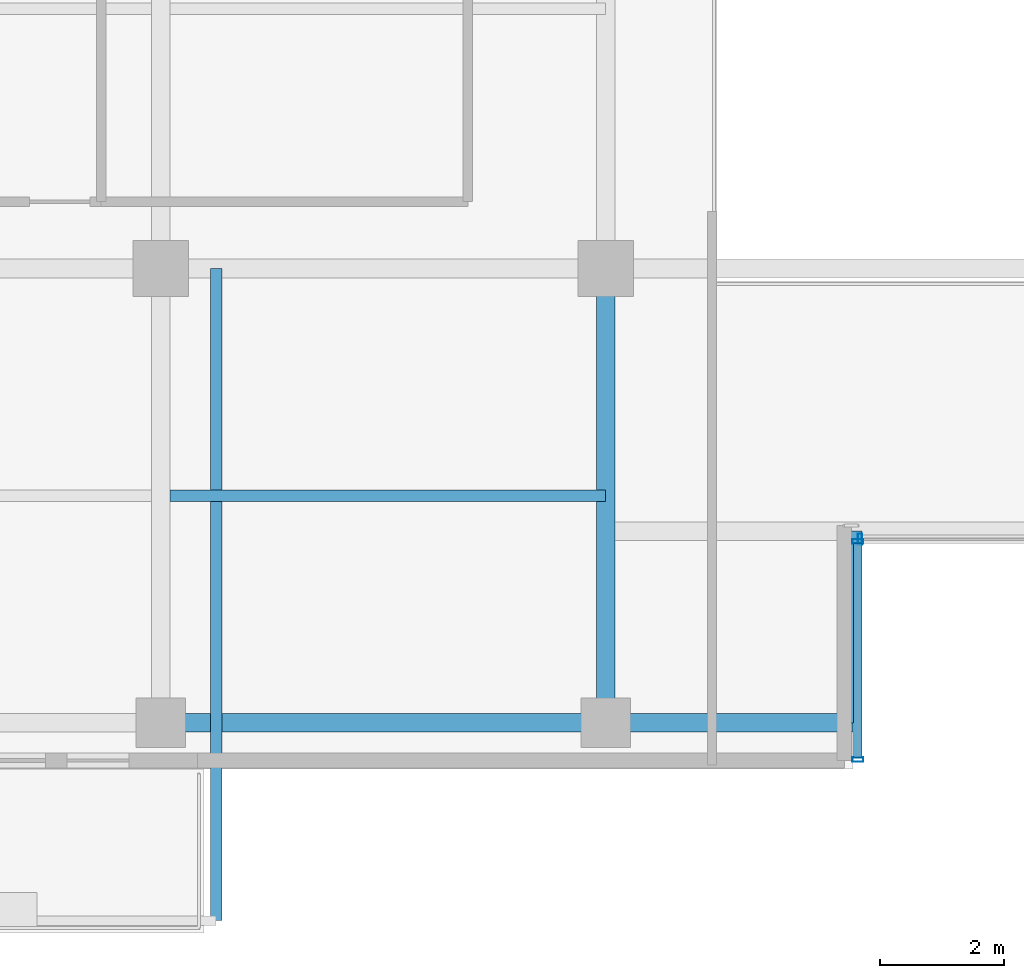
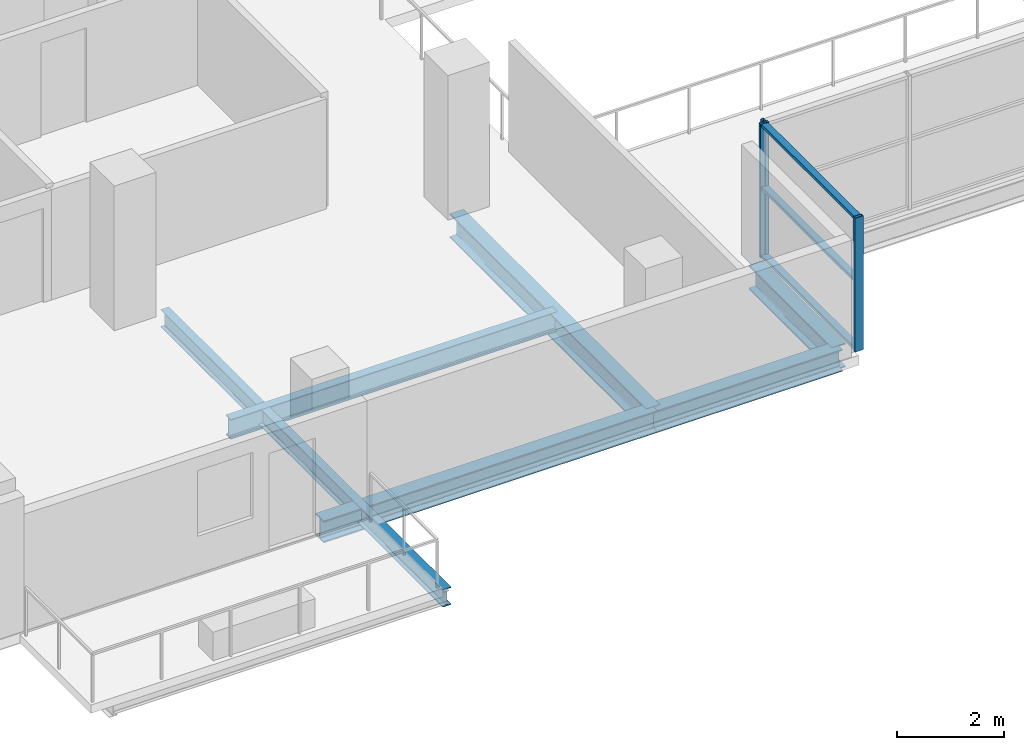
# One storey, part 5 of 25: 6 beams, 6 members, 2 elements without a shape of their own.
"""IFC4 building model written with IfcOpenShell, lengths in metres."""

from ifc_helpers import new_model, si_unit, direction, frame, origin, origin_2d, place, context, subcontext, project, spatial, hollow_rectangle, i_section, extrude, source, transform, mapped, material, layer, layer_set, material_profile, profile_set, type_object, element, aggregate, save


model = new_model("IFC4")

# Units and contexts
model_context = context("Model", 3, precision=1e-05, world=origin(), true_north=direction((0.0, 1.0)))
body_context = subcontext(model_context, "Body", "Model", "MODEL_VIEW")
ifc_project = project(units=[si_unit("LENGTHUNIT", "METRE"), si_unit("AREAUNIT", "SQUARE_METRE"), si_unit("VOLUMEUNIT", "CUBIC_METRE"), si_unit("PLANEANGLEUNIT", "RADIAN"), si_unit("MASSUNIT", "GRAM", prefix="KILO")], contexts=[model_context])

# Site, building, storey
site_placement = place(None, origin())
site = spatial("IfcSite", under=ifc_project, at=site_placement, CompositionType="ELEMENT")
building_placement = place(site_placement, origin())
building = spatial("IfcBuilding", under=site, at=building_placement, Name="Zarnakvel Exchange Tower", CompositionType="ELEMENT")
storey_placement = place(building_placement, frame((0.0, 0.0, 100.0)))
storey = spatial("IfcBuildingStorey", under=building, at=storey_placement, Name="L27", CompositionType="ELEMENT", Elevation=100.0)

# Beams
ifc_material_1 = material(Name="Steel S355", Category="steel")
ifc_material_profile_1 = material_profile(ifc_material_1, i_section(OverallWidth=0.18994140625, OverallDepth=0.449951171875, WebThickness=0.009521484375, FlangeThickness=0.0146484375, FilletRadius=0.02099609375, at=origin_2d()))
ifc_profile_set_1 = profile_set([ifc_material_profile_1], Name="Steel S355")
beam_type_1 = type_object("IfcBeamType", Name="B-05", PredefinedType="JOIST", material=ifc_profile_set_1)
beam_1_placement = place(storey_placement, frame((-14.25, -13.27490234375, -0.449951171875), z_axis=(1.0, 0.0, 0.0), x_axis=(0.0, 1.0, 0.0)))
element("IfcBeam", 1, at=beam_1_placement, inside=storey, type_object=beam_type_1, Name="L27 Composite Floor Secondary Joist", PredefinedType="JOIST", context=body_context, shape_type="SweptSolid", body=[
    extrude(i_section(OverallWidth=0.18994140625, OverallDepth=0.449951171875, WebThickness=0.009521484375, FlangeThickness=0.0146484375, FilletRadius=0.02099609375, at=origin_2d()), origin(), (0.0, 0.0, 1.0), 7.050048828125),
])
ifc_material_profile_2 = material_profile(ifc_material_1, i_section(OverallWidth=0.179931640625, OverallDepth=0.39990234375, WebThickness=0.008544921875, FlangeThickness=0.013427734375, FilletRadius=0.02099609375, at=origin_2d()))
ifc_profile_set_2 = profile_set([ifc_material_profile_2], Name="Steel S355")
beam_type_2 = type_object("IfcBeamType", Name="B-06", PredefinedType="JOIST", material=ifc_profile_set_2)
beam_2_placement = place(storey_placement, frame((-13.5, -9.60009765625, -0.425048828125), z_axis=(0.0, -1.0, 0.0), x_axis=(1.0, 0.0, 0.0)))
element("IfcBeam", 2, at=beam_2_placement, inside=storey, type_object=beam_type_2, Name="L27 Continuous Back-Spanned Balcony Beam E", PredefinedType="JOIST", context=body_context, shape_type="SweptSolid", body=[
    extrude(i_section(OverallWidth=0.179931640625, OverallDepth=0.39990234375, WebThickness=0.008544921875, FlangeThickness=0.013427734375, FilletRadius=0.02099609375, at=origin_2d()), origin(), (0.0, 0.0, 1.0), 10.5498046875),
])
ifc_material_profile_3 = material_profile(ifc_material_1, i_section(OverallWidth=0.300048828125, OverallDepth=0.550048828125, WebThickness=0.014892578125, FlangeThickness=0.029052734375, FilletRadius=0.027099609375, at=origin_2d()))
ifc_profile_set_3 = profile_set([ifc_material_profile_3], Name="Steel S355")
beam_type_3 = type_object("IfcBeamType", Name="G-05", PredefinedType="BEAM", material=ifc_profile_set_3)
beam_3_placement = place(storey_placement, frame((-3.199951171875, -16.949951171875, -0.5), z_axis=(0.0, 1.0, 0.0), x_axis=(-1.0, 0.0, 0.0)))
element("IfcBeam", 3, at=beam_3_placement, inside=storey, type_object=beam_type_3, Name="L27 South Slot West Cheek Beam", PredefinedType="BEAM", context=body_context, shape_type="SweptSolid", body=[
    extrude(i_section(OverallWidth=0.300048828125, OverallDepth=0.550048828125, WebThickness=0.014892578125, FlangeThickness=0.029052734375, FilletRadius=0.027099609375, at=origin_2d()), origin(), (0.0, 0.0, 1.0), 3.099853515625),
])
beam_4_placement = place(storey_placement, frame((-7.199951171875, -16.949951171875, -0.5), z_axis=(0.0, 1.0, 0.0), x_axis=(-1.0, 0.0, 0.0)))
element("IfcBeam", 4, at=beam_4_placement, inside=storey, type_object=beam_type_3, Name="L27 Tower N-S Frame Beam", PredefinedType="BEAM", context=body_context, shape_type="SweptSolid", body=[
    extrude(i_section(OverallWidth=0.300048828125, OverallDepth=0.550048828125, WebThickness=0.014892578125, FlangeThickness=0.029052734375, FilletRadius=0.027099609375, at=origin_2d()), origin(), (0.0, 0.0, 1.0), 7.349853515625),
])
ifc_material_profile_4 = material_profile(ifc_material_1, i_section(OverallWidth=0.300048828125, OverallDepth=0.5, WebThickness=0.014404296875, FlangeThickness=0.028076171875, FilletRadius=0.027099609375, at=origin_2d()))
ifc_profile_set_4 = profile_set([ifc_material_profile_4], Name="Steel S355")
beam_type_4 = type_object("IfcBeamType", Name="SP-02", PredefinedType="SPANDREL", material=ifc_profile_set_4)
beam_5_placement = place(storey_placement, frame((-14.39990234375, -16.949951171875, -0.47509765625), z_axis=(1.0, 0.0, 0.0), x_axis=(0.0, 1.0, 0.0)))
element("IfcBeam", 5, at=beam_5_placement, inside=storey, type_object=beam_type_4, Name="L27 Tower E-W Frame Beam", PredefinedType="SPANDREL", context=body_context, shape_type="SweptSolid", body=[
    extrude(i_section(OverallWidth=0.300048828125, OverallDepth=0.5, WebThickness=0.014404296875, FlangeThickness=0.028076171875, FilletRadius=0.027099609375, at=origin_2d()), origin(), (0.0, 0.0, 1.0), 7.199951171875),
])
beam_6_placement = place(storey_placement, frame((-7.199951171875, -16.949951171875, -0.47509765625), z_axis=(1.0, 0.0, 0.0), x_axis=(0.0, 1.0, 0.0)))
element("IfcBeam", 6, at=beam_6_placement, inside=storey, type_object=beam_type_4, Name="L27 South Slot West Jamb Spandrel", PredefinedType="SPANDREL", context=body_context, shape_type="SweptSolid", body=[
    extrude(i_section(OverallWidth=0.300048828125, OverallDepth=0.5, WebThickness=0.014404296875, FlangeThickness=0.028076171875, FilletRadius=0.027099609375, at=origin_2d()), origin(), (0.0, 0.0, 1.0), 4.0),
])

# Curtain wall, members
ifc_material_2 = material(Name="Architectural Bronze Anodised Aluminium", Category="aluminium")
ifc_layer = layer(ifc_material_2, 0.179931640625)
ifc_layer_set = layer_set([ifc_layer], Name="Architectural Bronze Anodised Aluminium")
curtain_wall_type = type_object("IfcCurtainWallType", Name="CW-05", PredefinedType="NOTDEFINED", material=ifc_layer_set)
curtain_wall_1_placement = place(storey_placement, origin())
curtain_wall_1 = element("IfcCurtainWall", 7, at=curtain_wall_1_placement, inside=storey, type_object=curtain_wall_type, Name="L27 Curtain Wall CW-L27-SLW (CW-05)", PredefinedType="NOTDEFINED")
ifc_material_profile_5 = material_profile(ifc_material_2, hollow_rectangle(XDim=0.139892578125, YDim=0.070068359375, WallThickness=0.00390625, at=origin_2d()))
ifc_profile_set_5 = profile_set([ifc_material_profile_5], Name="Architectural Bronze Anodised Aluminium")
member_type_1 = type_object("IfcMemberType", Name="CWT-05", PredefinedType="USERDEFINED", material=ifc_profile_set_5)
shared_shape_1 = source(origin(), body_context, "Body", "SweptSolid", [
    extrude(hollow_rectangle(XDim=0.139892578125, YDim=0.070068359375, WallThickness=0.00390625, at=origin_2d()), origin(), (0.0, 0.0, 1.0), 3.4599609375),
])
member_1_placement = place(storey_placement, frame((-3.1201171875, -17.510009765625, 0.034912109375), z_axis=(0.0, 1.0, 0.0), x_axis=(-1.0, 0.0, 0.0)))
member_1 = element("IfcMember", 8, at=member_1_placement, type_object=member_type_1, Name="CW-05 transom 1.1", ObjectType="TRANSOM", PredefinedType="USERDEFINED", context=body_context, shape_type="MappedRepresentation", body=[
    mapped(shared_shape_1, transform((0.0, 0.0, 0.0), x_axis=(1.0, 0.0, 0.0), y_axis=(0.0, 1.0, 0.0), z_axis=(0.0, 0.0, 1.0), scale=1.0)),
])
member_2_placement = place(storey_placement, frame((-3.1201171875, -17.510009765625, 1.588623046875), z_axis=(0.0, 1.0, 0.0), x_axis=(-1.0, 0.0, 0.0)))
member_2 = element("IfcMember", 9, at=member_2_placement, type_object=member_type_1, Name="CW-05 transom 1.2", ObjectType="TRANSOM", PredefinedType="USERDEFINED", context=body_context, shape_type="MappedRepresentation", body=[
    mapped(shared_shape_1, transform((0.0, 0.0, 0.0), x_axis=(1.0, 0.0, 0.0), y_axis=(0.0, 1.0, 0.0), z_axis=(0.0, 0.0, 1.0), scale=1.0)),
])
member_3_placement = place(storey_placement, frame((-3.1201171875, -17.510009765625, 3.02001953125), z_axis=(0.0, 1.0, 0.0), x_axis=(-1.0, 0.0, 0.0)))
member_3 = element("IfcMember", 10, at=member_3_placement, type_object=member_type_1, Name="CW-05 transom 1.3", ObjectType="TRANSOM", PredefinedType="USERDEFINED", context=body_context, shape_type="MappedRepresentation", body=[
    mapped(shared_shape_1, transform((0.0, 0.0, 0.0), x_axis=(1.0, 0.0, 0.0), y_axis=(0.0, 1.0, 0.0), z_axis=(0.0, 0.0, 1.0), scale=1.0)),
])
ifc_material_profile_6 = material_profile(ifc_material_2, hollow_rectangle(XDim=0.179931640625, YDim=0.070068359375, WallThickness=0.00390625, at=origin_2d()))
ifc_profile_set_6 = profile_set([ifc_material_profile_6], Name="Architectural Bronze Anodised Aluminium")
member_type_2 = type_object("IfcMemberType", Name="CWM-05", PredefinedType="MULLION", material=ifc_profile_set_6)
shared_shape_2 = source(origin(), body_context, "Body", "SweptSolid", [
    extrude(hollow_rectangle(XDim=0.179931640625, YDim=0.070068359375, WallThickness=0.00390625, at=origin_2d()), origin(), (0.0, 0.0, 1.0), 3.054931640625),
])
member_4_placement = place(storey_placement, frame((-3.1201171875, -17.544921875, 0.0), z_axis=(0.0, 0.0, 1.0), x_axis=(-1.0, 0.0, 0.0)))
member_4 = element("IfcMember", 11, at=member_4_placement, type_object=member_type_2, Name="CW-05 mullion 1", PredefinedType="MULLION", context=body_context, shape_type="MappedRepresentation", body=[
    mapped(shared_shape_2, transform((0.0, 0.0, 0.0), x_axis=(1.0, 0.0, 0.0), y_axis=(0.0, 1.0, 0.0), z_axis=(0.0, 0.0, 1.0), scale=1.0)),
])
member_5_placement = place(storey_placement, frame((-3.1201171875, -14.014892578125, 0.0), z_axis=(0.0, 0.0, 1.0), x_axis=(-1.0, 0.0, 0.0)))
member_5 = element("IfcMember", 12, at=member_5_placement, type_object=member_type_2, Name="CW-05 mullion 2", PredefinedType="MULLION", context=body_context, shape_type="MappedRepresentation", body=[
    mapped(shared_shape_2, transform((0.0, 0.0, 0.0), x_axis=(1.0, 0.0, 0.0), y_axis=(0.0, 1.0, 0.0), z_axis=(0.0, 0.0, 1.0), scale=1.0)),
])
aggregate(curtain_wall_1, [member_4, member_5, member_1, member_2, member_3])

# Curtain wall, member
curtain_wall_2_placement = place(storey_placement, origin())
curtain_wall_2 = element("IfcCurtainWall", 13, at=curtain_wall_2_placement, inside=storey, type_object=curtain_wall_type, Name="L27 Curtain Wall CW-L27-SLB (CW-05)", PredefinedType="NOTDEFINED")
member_6_placement = place(storey_placement, frame((-3.0849609375, -13.97998046875, 0.0), z_axis=(0.0, 0.0, 1.0), x_axis=(0.0, 1.0, 0.0)))
member_6 = element("IfcMember", 14, at=member_6_placement, type_object=member_type_2, Name="CW-05 mullion 1", PredefinedType="MULLION", context=body_context, shape_type="MappedRepresentation", body=[
    mapped(shared_shape_2, transform((0.0, 0.0, 0.0), x_axis=(1.0, 0.0, 0.0), y_axis=(0.0, 1.0, 0.0), z_axis=(0.0, 0.0, 1.0), scale=1.0)),
])
aggregate(curtain_wall_2, [member_6])

save(model, "model.ifc")
